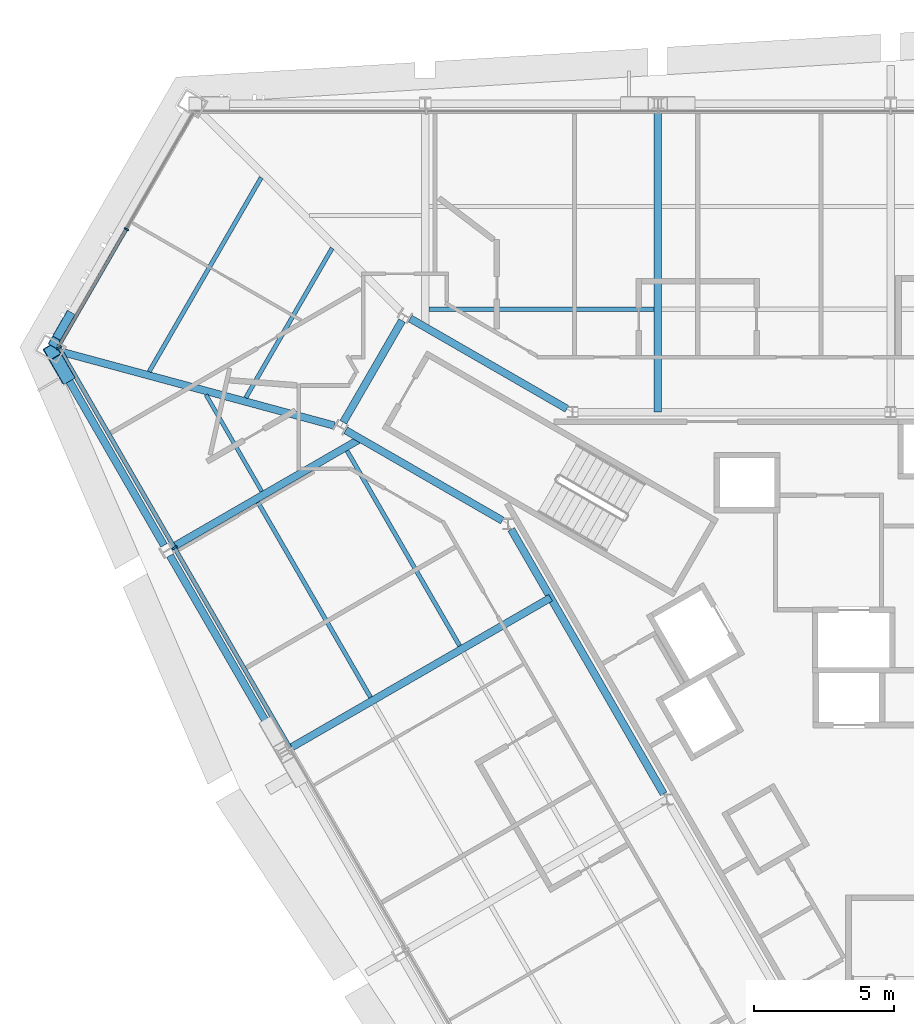
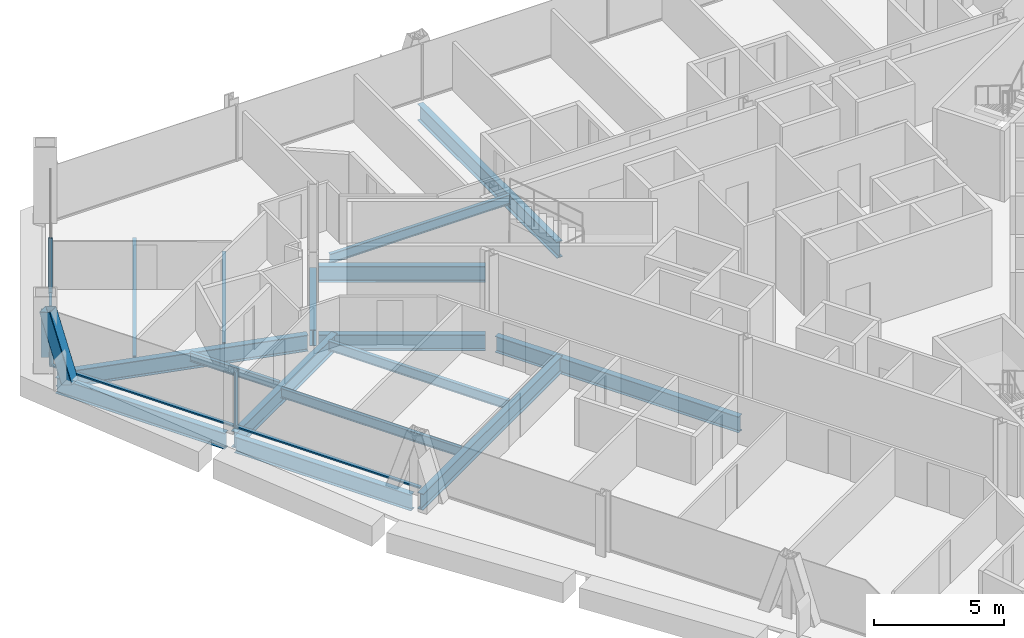
# One storey, part 6 of 17: 16 beams, 8 members, 2 elements without a shape of their own.
"""IFC4 building model written with IfcOpenShell, lengths in metres."""

from ifc_helpers import new_model, si_unit, direction, frame, origin, origin_2d, place, context, subcontext, project, spatial, rectangle, hollow_rectangle, i_section, extrude, material, material_profile, profile_set, type_object, element, aggregate, save


model = new_model("IFC4")

# Units and contexts
model_context = context("Model", 3, precision=1e-05, world=origin(), true_north=direction((0.0, 1.0)))
body_context = subcontext(model_context, "Body", "Model", "MODEL_VIEW")
ifc_project = project(units=[si_unit("LENGTHUNIT", "METRE"), si_unit("AREAUNIT", "SQUARE_METRE"), si_unit("VOLUMEUNIT", "CUBIC_METRE"), si_unit("PLANEANGLEUNIT", "RADIAN"), si_unit("MASSUNIT", "GRAM", prefix="KILO")], contexts=[model_context])

# Site, building, storey
site_placement = place(None, origin())
site = spatial("IfcSite", under=ifc_project, at=site_placement, CompositionType="ELEMENT")
building_placement = place(site_placement, origin())
building = spatial("IfcBuilding", under=site, at=building_placement, Name="Verrane Prism Tower", CompositionType="ELEMENT")
storey_placement = place(building_placement, frame((0.0, 0.0, 139.60009765625)))
storey = spatial("IfcBuildingStorey", under=building, at=storey_placement, Name="L34", CompositionType="ELEMENT", Elevation=139.60009765625)

# Member
ifc_material_1 = material(Name="Steel A500 Grade C", Category="steel")
ifc_material_profile_1 = material_profile(ifc_material_1, hollow_rectangle(XDim=0.355712890625, YDim=0.355712890625, WallThickness=0.0126953125, InnerFilletRadius=0.00634765625, OuterFilletRadius=0.01904296875, at=origin_2d()), Name="HSS14x14x1/2")
ifc_profile_set_1 = profile_set([ifc_material_profile_1], Name="Steel A500 Grade C")
member_type_1 = type_object("IfcMemberType", Name="Chamfer brace HSS14x14x1/2", PredefinedType="BRACE", material=ifc_profile_set_1)
member_1_placement = place(storey_placement, frame((-29.258056640625, 12.597900390625, -0.2451171875), z_axis=(-0.181434730397, -0.31463252923, 0.931712300099), x_axis=(0.866285721922, -0.499548844452, 0.0)))
element("IfcMember", 1, at=member_1_placement, inside=storey, type_object=member_type_1, Name="Chamfer brace NW0 L34", PredefinedType="BRACE", context=body_context, shape_type="SweptSolid", body=[
    extrude(hollow_rectangle(XDim=0.355712890625, YDim=0.355712890625, WallThickness=0.0126953125, InnerFilletRadius=0.00634765625, OuterFilletRadius=0.01904296875, at=origin_2d()), origin(), (0.0, 0.0, 1.0), 2.9052734375),
])

# Beams
ifc_material_2 = material(Name="Steel A992", Category="steel")
ifc_material_profile_2 = material_profile(ifc_material_2, i_section(OverallWidth=0.2666015625, OverallDepth=0.7568359375, WebThickness=0.013916015625, FlangeThickness=0.019287109375, FilletRadius=0.0166015625, at=origin_2d()), Name="W30x108")
ifc_profile_set_2 = profile_set([ifc_material_profile_2], Name="Steel A992")
beam_type_1 = type_object("IfcBeamType", Name="Core ring girder W30x108", PredefinedType="BEAM", material=ifc_profile_set_2)
beam_1_placement = place(storey_placement, frame((-11.53076171875, 9.315673828125, -0.628662109375), z_axis=(-0.866455532004, 0.499254254924, 0.0), x_axis=(-0.499254254924, -0.866455532004, 0.0)))
element("IfcBeam", 2, at=beam_1_placement, inside=storey, type_object=beam_type_1, Name="Core ring girder L34", PredefinedType="BEAM", context=body_context, shape_type="SweptSolid", body=[
    extrude(i_section(OverallWidth=0.2666015625, OverallDepth=0.7568359375, WebThickness=0.013916015625, FlangeThickness=0.019287109375, FilletRadius=0.0166015625, at=origin_2d()), origin(), (0.0, 0.0, 1.0), 6.441162109375),
])
beam_2_placement = place(storey_placement, frame((-17.40283203125, 12.4619140625, -0.628662109375), z_axis=(-0.500367003619, -0.865813410435, 0.0), x_axis=(0.865813410435, -0.500367003619, 0.0)))
element("IfcBeam", 3, at=beam_2_placement, inside=storey, type_object=beam_type_1, Name="Core ring girder L34", PredefinedType="BEAM", context=body_context, shape_type="SweptSolid", body=[
    extrude(i_section(OverallWidth=0.2666015625, OverallDepth=0.7568359375, WebThickness=0.013916015625, FlangeThickness=0.019287109375, FilletRadius=0.0166015625, at=origin_2d()), origin(), (0.0, 0.0, 1.0), 4.185302734375),
])
beam_3_placement = place(storey_placement, frame((-19.411865234375, 8.551513671875, -0.628662109375), z_axis=(0.866455532004, -0.499254254924, 0.0), x_axis=(0.499254254924, 0.866455532004, 0.0)))
element("IfcBeam", 4, at=beam_3_placement, inside=storey, type_object=beam_type_1, Name="Core ring girder L34", PredefinedType="BEAM", context=body_context, shape_type="SweptSolid", body=[
    extrude(i_section(OverallWidth=0.2666015625, OverallDepth=0.7568359375, WebThickness=0.013916015625, FlangeThickness=0.019287109375, FilletRadius=0.0166015625, at=origin_2d()), origin(), (0.0, 0.0, 1.0), 6.441162109375),
])
beam_4_placement = place(storey_placement, frame((-13.51513671875, 5.0205078125, -0.628662109375), z_axis=(0.4993706109, -0.866388476937, 0.0), x_axis=(0.866388476937, 0.4993706109, 0.0)))
element("IfcBeam", 5, at=beam_4_placement, inside=storey, type_object=beam_type_1, Name="Core ring girder L34", PredefinedType="BEAM", context=body_context, shape_type="SweptSolid", body=[
    extrude(i_section(OverallWidth=0.2666015625, OverallDepth=0.7568359375, WebThickness=0.013916015625, FlangeThickness=0.019287109375, FilletRadius=0.0166015625, at=origin_2d()), origin(), (0.0, 0.0, 1.0), 10.8740234375),
])
ifc_material_3 = material(Name="Steel A992", Category="steel")
ifc_material_profile_3 = material_profile(ifc_material_3, i_section(OverallWidth=0.2666015625, OverallDepth=0.76708984375, WebThickness=0.014892578125, FlangeThickness=0.023681640625, FilletRadius=0.0166015625, at=origin_2d()), Name="W30x124")
ifc_profile_set_3 = profile_set([ifc_material_profile_3], Name="Steel A992")
beam_type_2 = type_object("IfcBeamType", Name="Corner girder W30x124", PredefinedType="BEAM", material=ifc_profile_set_3)
beam_5_placement = place(storey_placement, frame((-29.470458984375, 11.32861328125, -0.603515625), z_axis=(0.965337296085, -0.261005564666, 0.0), x_axis=(0.261005564666, 0.965337296085, 0.0)))
element("IfcBeam", 6, at=beam_5_placement, inside=storey, type_object=beam_type_2, Name="Corner girder L34", PredefinedType="BEAM", context=body_context, shape_type="SweptSolid", body=[
    extrude(i_section(OverallWidth=0.2666015625, OverallDepth=0.76708984375, WebThickness=0.014892578125, FlangeThickness=0.023681640625, FilletRadius=0.0166015625, at=origin_2d()), origin(), (0.0, 0.0, 1.0), 10.000244140625),
])

# Member
ifc_material_4 = material(Name="Steel A1085 Grade A", Category="steel")
ifc_material_profile_4 = material_profile(ifc_material_4, hollow_rectangle(XDim=0.508056640625, YDim=0.508056640625, WallThickness=0.025390625, InnerFilletRadius=0.0126953125, OuterFilletRadius=0.0380859375, at=origin_2d()), Name="HSS20x20x1")
ifc_profile_set_4 = profile_set([ifc_material_profile_4], Name="Steel A1085 Grade A")
member_type_2 = type_object("IfcMemberType", Name="Facade brace HSS20x20x1", PredefinedType="BRACE", material=ifc_profile_set_4)
member_2_placement = place(storey_placement, frame((-29.3759765625, 10.506591796875, -0.24267578125), z_axis=(-0.153391848025, 0.26396433136, 0.952257198833), x_axis=(-0.864615031163, -0.502434919056, 0.0)))
element("IfcMember", 7, at=member_2_placement, inside=storey, type_object=member_type_2, Name="Facade brace SW0 L34", PredefinedType="BRACE", context=body_context, shape_type="SweptSolid", body=[
    extrude(hollow_rectangle(XDim=0.508056640625, YDim=0.508056640625, WallThickness=0.025390625, InnerFilletRadius=0.0126953125, OuterFilletRadius=0.0380859375, at=origin_2d()), origin(), (0.0, 0.0, 1.0), 3.221435546875),
])

# Beams
ifc_material_5 = material(Name="Steel A992", Category="steel")
ifc_material_profile_5 = material_profile(ifc_material_5, i_section(OverallWidth=0.140380859375, OverallDepth=0.40380859375, WebThickness=0.007080078125, FlangeThickness=0.01123046875, FilletRadius=0.01025390625, at=origin_2d()), Name="W16x31")
ifc_profile_set_5 = profile_set([ifc_material_profile_5], Name="Steel A992")
beam_type_3 = type_object("IfcBeamType", Name="Floor beam W16x31", PredefinedType="BEAM", material=ifc_profile_set_5)
beam_6_placement = place(storey_placement, frame((-22.40185546875, 6.37548828125, -0.362060546875), z_axis=(-0.499972468829, 0.86604129833, 0.0), x_axis=(-0.86604129833, -0.499972468829, 0.0)))
element("IfcBeam", 8, at=beam_6_placement, inside=storey, type_object=beam_type_3, Name="Floor beam L34", PredefinedType="BEAM", context=body_context, shape_type="SweptSolid", body=[
    extrude(i_section(OverallWidth=0.140380859375, OverallDepth=0.40380859375, WebThickness=0.007080078125, FlangeThickness=0.01123046875, FilletRadius=0.01025390625, at=origin_2d()), origin(), (0.0, 0.0, 1.0), 3.972900390625),
])
ifc_material_6 = material(Name="Steel A992", Category="steel")
ifc_material_profile_6 = material_profile(ifc_material_6, i_section(OverallWidth=0.15234375, OverallDepth=0.449462890625, WebThickness=0.007568359375, FlangeThickness=0.0107421875, FilletRadius=0.01025390625, at=origin_2d()), Name="W18x35")
ifc_profile_set_6 = profile_set([ifc_material_profile_6], Name="Steel A992")
beam_type_4 = type_object("IfcBeamType", Name="Floor beam W18x35", PredefinedType="BEAM", material=ifc_profile_set_6)
beam_7_placement = place(storey_placement, frame((-16.446533203125, 12.86328125, -0.385009765625), z_axis=(1.0, 0.0, 0.0), x_axis=(0.0, 1.0, 0.0)))
element("IfcBeam", 9, at=beam_7_placement, inside=storey, type_object=beam_type_4, Name="Floor beam L34", PredefinedType="BEAM", context=body_context, shape_type="SweptSolid", body=[
    extrude(i_section(OverallWidth=0.15234375, OverallDepth=0.449462890625, WebThickness=0.007568359375, FlangeThickness=0.0107421875, FilletRadius=0.01025390625, at=origin_2d()), origin(), (0.0, 0.0, 1.0), 8.02294921875),
])
beam_8_placement = place(storey_placement, frame((-15.351318359375, 0.87158203125, -0.385009765625), z_axis=(-0.499986657325, 0.866033107044, 0.0), x_axis=(-0.866033107044, -0.499986657325, 0.0)))
element("IfcBeam", 10, at=beam_8_placement, inside=storey, type_object=beam_type_4, Name="Floor beam L34", PredefinedType="BEAM", context=body_context, shape_type="SweptSolid", body=[
    extrude(i_section(OverallWidth=0.15234375, OverallDepth=0.449462890625, WebThickness=0.007568359375, FlangeThickness=0.0107421875, FilletRadius=0.01025390625, at=origin_2d()), origin(), (0.0, 0.0, 1.0), 8.025634765625),
])
beam_9_placement = place(storey_placement, frame((-18.525634765625, -0.96240234375, -0.385009765625), z_axis=(-0.499996300355, 0.866027539765, 0.0), x_axis=(-0.866027539765, -0.499996300355, 0.0)))
element("IfcBeam", 11, at=beam_9_placement, inside=storey, type_object=beam_type_4, Name="Floor beam L34", PredefinedType="BEAM", context=body_context, shape_type="SweptSolid", body=[
    extrude(i_section(OverallWidth=0.15234375, OverallDepth=0.449462890625, WebThickness=0.007568359375, FlangeThickness=0.0107421875, FilletRadius=0.01025390625, at=origin_2d()), origin(), (0.0, 0.0, 1.0), 8.02587890625),
])
beam_10_placement = place(storey_placement, frame((-22.971435546875, 9.709716796875, -0.385009765625), z_axis=(0.499989277538, 0.866031594312, 0.0), x_axis=(-0.866031594312, 0.499989277538, 0.0)))
element("IfcBeam", 12, at=beam_10_placement, inside=storey, type_object=beam_type_4, Name="Floor beam L34", PredefinedType="BEAM", context=body_context, shape_type="SweptSolid", body=[
    extrude(i_section(OverallWidth=0.15234375, OverallDepth=0.449462890625, WebThickness=0.007568359375, FlangeThickness=0.0107421875, FilletRadius=0.01025390625, at=origin_2d()), origin(), (0.0, 0.0, 1.0), 6.151611328125),
])
beam_11_placement = place(storey_placement, frame((-26.413818359375, 10.640380859375, -0.385009765625), z_axis=(0.500003955024, 0.866023120338, 0.0), x_axis=(-0.866023120338, 0.500003955024, 0.0)))
element("IfcBeam", 13, at=beam_11_placement, inside=storey, type_object=beam_type_4, Name="Floor beam L34", PredefinedType="BEAM", context=body_context, shape_type="SweptSolid", body=[
    extrude(i_section(OverallWidth=0.15234375, OverallDepth=0.449462890625, WebThickness=0.007568359375, FlangeThickness=0.0107421875, FilletRadius=0.01025390625, at=origin_2d()), origin(), (0.0, 0.0, 1.0), 7.98291015625),
])

# Curtain wall, member
ifc_material_7 = material(Name="Aluminium framed insulated glazing", Category="aluminium")
curtain_wall_type_1 = type_object("IfcCurtainWallType", Name="Curtain wall CW-B 5600 module", PredefinedType="NOTDEFINED", material=ifc_material_7)
curtain_wall_1_placement = place(storey_placement, origin())
curtain_wall_1 = element("IfcCurtainWall", 14, at=curtain_wall_1_placement, inside=storey, type_object=curtain_wall_type_1, Name="Glazed curtain wall north-west corner L34", PredefinedType="NOTDEFINED")
ifc_material_8 = material(Name="Aluminium alloy 6063-T6", Category="aluminium")
ifc_material_profile_7 = material_profile(ifc_material_8, rectangle(XDim=0.159912109375, YDim=0.06005859375, at=origin_2d()), Name="Mullion 60x160 aluminium")
ifc_profile_set_7 = profile_set([ifc_material_profile_7], Name="Aluminium alloy 6063-T6")
member_type_3 = type_object("IfcMemberType", Name="Mullion 60x160 aluminium", PredefinedType="MULLION", material=ifc_profile_set_7)
member_3_placement = place(storey_placement, frame((-27.223876953125, 15.7177734375, 0.0), z_axis=(0.0, 0.0, 1.0), x_axis=(0.866027551544, -0.499996279953, 0.0)))
member_3 = element("IfcMember", 15, at=member_3_placement, type_object=member_type_3, Name="CW32.3 mullion 2", PredefinedType="MULLION", context=body_context, shape_type="SweptSolid", body=[
    extrude(rectangle(XDim=0.159912109375, YDim=0.06005859375, at=origin_2d()), origin(), (0.0, 0.0, 1.0), 2.61279296875),
])

# Curtain wall, members
ifc_material_9 = material(Name="Aluminium framed insulated glazing", Category="aluminium")
curtain_wall_type_2 = type_object("IfcCurtainWallType", Name="Curtain wall CW-A 8400 module", PredefinedType="NOTDEFINED", material=ifc_material_9)
curtain_wall_2_placement = place(storey_placement, origin())
curtain_wall_2 = element("IfcCurtainWall", 16, at=curtain_wall_2_placement, inside=storey, type_object=curtain_wall_type_2, Name="Glazed curtain wall south-west face L34", PredefinedType="NOTDEFINED")
ifc_material_10 = material(Name="Aluminium alloy 6063-T6", Category="aluminium")
ifc_material_profile_8 = material_profile(ifc_material_10, rectangle(XDim=0.199951171875, YDim=0.070068359375, at=origin_2d()), Name="Mullion 70x200 aluminium")
ifc_profile_set_8 = profile_set([ifc_material_profile_8], Name="Aluminium alloy 6063-T6")
member_type_4 = type_object("IfcMemberType", Name="Mullion 70x200 aluminium", PredefinedType="MULLION", material=ifc_profile_set_8)
member_4_placement = place(storey_placement, frame((-29.62744140625, 11.494140625, 0.0), z_axis=(0.0, 0.0, 1.0), x_axis=(0.866025120648, 0.500000490406, 0.0)))
member_4 = element("IfcMember", 17, at=member_4_placement, type_object=member_type_4, Name="CW32.4 mullion 1", PredefinedType="MULLION", context=body_context, shape_type="SweptSolid", body=[
    extrude(rectangle(XDim=0.199951171875, YDim=0.070068359375, at=origin_2d()), origin(), (0.0, 0.0, 1.0), 2.61279296875),
])
member_5_placement = place(storey_placement, frame((-25.510986328125, 4.364501953125, 0.0), z_axis=(0.0, 0.0, 1.0), x_axis=(0.866025120648, 0.500000490406, 0.0)))
member_5 = element("IfcMember", 18, at=member_5_placement, type_object=member_type_4, Name="CW32.4 mullion 2", PredefinedType="MULLION", context=body_context, shape_type="SweptSolid", body=[
    extrude(rectangle(XDim=0.199951171875, YDim=0.070068359375, at=origin_2d()), origin(), (0.0, 0.0, 1.0), 2.61279296875),
])

# Beams
ifc_material_11 = material(Name="Steel A992", Category="steel")
ifc_material_profile_9 = material_profile(ifc_material_11, i_section(OverallWidth=0.2666015625, OverallDepth=0.76708984375, WebThickness=0.014892578125, FlangeThickness=0.023681640625, FilletRadius=0.0166015625, at=origin_2d()), Name="W30x124")
ifc_profile_set_9 = profile_set([ifc_material_profile_9], Name="Steel A992")
beam_type_5 = type_object("IfcBeamType", Name="Radial girder W30x124", PredefinedType="BEAM", material=ifc_profile_set_9)
beam_12_placement = place(storey_placement, frame((-8.2900390625, 19.962646484375, -0.603515625), z_axis=(0.0, -1.0, 0.0), x_axis=(1.0, 0.0, 0.0)))
element("IfcBeam", 19, at=beam_12_placement, inside=storey, type_object=beam_type_5, Name="Radial girder L34", PredefinedType="BEAM", context=body_context, shape_type="SweptSolid", body=[
    extrude(i_section(OverallWidth=0.2666015625, OverallDepth=0.76708984375, WebThickness=0.014892578125, FlangeThickness=0.023681640625, FilletRadius=0.0166015625, at=origin_2d()), origin(), (0.0, 0.0, 1.0), 10.7626953125),
])
beam_13_placement = place(storey_placement, frame((-25.5830078125, 4.3837890625, -0.603515625), z_axis=(0.866023094746, 0.500003999351, 0.0), x_axis=(-0.500003999351, 0.866023094746, 0.0)))
element("IfcBeam", 20, at=beam_13_placement, inside=storey, type_object=beam_type_5, Name="Radial girder L34", PredefinedType="BEAM", context=body_context, shape_type="SweptSolid", body=[
    extrude(i_section(OverallWidth=0.2666015625, OverallDepth=0.76708984375, WebThickness=0.014892578125, FlangeThickness=0.023681640625, FilletRadius=0.0166015625, at=origin_2d()), origin(), (0.0, 0.0, 1.0), 7.7314453125),
])
beam_14_placement = place(storey_placement, frame((-21.43310546875, -2.79638671875, -0.603515625), z_axis=(0.866023543838, 0.500003221507, 0.0), x_axis=(-0.500003221507, 0.866023543838, 0.0)))
element("IfcBeam", 21, at=beam_14_placement, inside=storey, type_object=beam_type_5, Name="Radial girder L34", PredefinedType="BEAM", context=body_context, shape_type="SweptSolid", body=[
    extrude(i_section(OverallWidth=0.2666015625, OverallDepth=0.76708984375, WebThickness=0.014892578125, FlangeThickness=0.023681640625, FilletRadius=0.0166015625, at=origin_2d()), origin(), (0.0, 0.0, 1.0), 10.763671875),
])
ifc_material_12 = material(Name="Steel A992", Category="steel")
ifc_material_profile_10 = material_profile(ifc_material_12, i_section(OverallWidth=0.2666015625, OverallDepth=0.7568359375, WebThickness=0.013916015625, FlangeThickness=0.019287109375, FilletRadius=0.0166015625, at=origin_2d()), Name="W30x108")
ifc_profile_set_10 = profile_set([ifc_material_profile_10], Name="Steel A992")
beam_type_6 = type_object("IfcBeamType", Name="Spandrel beam W30x108", PredefinedType="SPANDREL", material=ifc_profile_set_10)
beam_15_placement = place(storey_placement, frame((-29.660400390625, 10.999755859375, -0.53857421875), z_axis=(0.499498748006, -0.866314608408, 0.0), x_axis=(0.866314608408, 0.499498748006, 0.0)))
element("IfcBeam", 22, at=beam_15_placement, inside=storey, type_object=beam_type_6, Name="Spandrel beam L34", PredefinedType="SPANDREL", context=body_context, shape_type="SweptSolid", body=[
    extrude(i_section(OverallWidth=0.2666015625, OverallDepth=0.7568359375, WebThickness=0.013916015625, FlangeThickness=0.019287109375, FilletRadius=0.0166015625, at=origin_2d()), origin(), (0.0, 0.0, 1.0), 7.558837890625),
])
beam_16_placement = place(storey_placement, frame((-25.675048828125, 4.088623046875, -0.53857421875), z_axis=(0.500410353056, -0.865788356675, 0.0), x_axis=(0.865788356675, 0.500410353056, 0.0)))
element("IfcBeam", 23, at=beam_16_placement, inside=storey, type_object=beam_type_6, Name="Spandrel beam L34", PredefinedType="SPANDREL", context=body_context, shape_type="SweptSolid", body=[
    extrude(i_section(OverallWidth=0.2666015625, OverallDepth=0.7568359375, WebThickness=0.013916015625, FlangeThickness=0.019287109375, FilletRadius=0.0166015625, at=origin_2d()), origin(), (0.0, 0.0, 1.0), 7.8740234375),
])

# Member
ifc_material_13 = material(Name="Aluminium alloy 6063-T6", Category="aluminium")
ifc_material_profile_11 = material_profile(ifc_material_13, rectangle(XDim=0.1201171875, YDim=0.06005859375, at=origin_2d()), Name="Transom 60x120 aluminium")
ifc_profile_set_11 = profile_set([ifc_material_profile_11], Name="Aluminium alloy 6063-T6")
member_type_5 = type_object("IfcMemberType", Name="Transom 60x120 aluminium", PredefinedType="USERDEFINED", material=ifc_profile_set_11)
member_6_placement = place(storey_placement, frame((-27.239013671875, 15.691650390625, 0.02978515625), z_axis=(-0.50000792458, -0.866020828478, 0.0), x_axis=(0.866020828478, -0.50000792458, 0.0)))
member_6 = element("IfcMember", 24, at=member_6_placement, type_object=member_type_5, Name="CW32.3 transom 2", ObjectType="TRANSOM", PredefinedType="USERDEFINED", context=body_context, shape_type="SweptSolid", body=[
    extrude(rectangle(XDim=0.1201171875, YDim=0.06005859375, at=origin_2d()), origin(), (0.0, 0.0, 1.0), 4.81201171875),
])

aggregate(curtain_wall_1, [member_3, member_6])

ifc_material_14 = material(Name="Aluminium alloy 6063-T6", Category="aluminium")
ifc_material_profile_12 = material_profile(ifc_material_14, rectangle(XDim=0.14990234375, YDim=0.070068359375, at=origin_2d()), Name="Transom 70x150 aluminium")
ifc_profile_set_12 = profile_set([ifc_material_profile_12], Name="Aluminium alloy 6063-T6")
member_type_6 = type_object("IfcMemberType", Name="Transom 70x150 aluminium", PredefinedType="USERDEFINED", material=ifc_profile_set_12)
member_7_placement = place(storey_placement, frame((-29.60986328125, 11.4638671875, 0.034912109375), z_axis=(0.499996028522, -0.866027696706, 0.0), x_axis=(0.866027696706, 0.499996028522, 0.0)))
member_7 = element("IfcMember", 25, at=member_7_placement, type_object=member_type_6, Name="CW32.4 transom 1", ObjectType="TRANSOM", PredefinedType="USERDEFINED", context=body_context, shape_type="SweptSolid", body=[
    extrude(rectangle(XDim=0.14990234375, YDim=0.070068359375, at=origin_2d()), origin(), (0.0, 0.0, 1.0), 8.16259765625),
])

member_8_placement = place(storey_placement, frame((-25.49365234375, 4.334228515625, 0.034912109375), z_axis=(0.500005171338, -0.866022418091, 0.0), x_axis=(0.866022418091, 0.500005171338, 0.0)))
member_8 = element("IfcMember", 26, at=member_8_placement, type_object=member_type_6, Name="CW32.4 transom 2", ObjectType="TRANSOM", PredefinedType="USERDEFINED", context=body_context, shape_type="SweptSolid", body=[
    extrude(rectangle(XDim=0.14990234375, YDim=0.070068359375, at=origin_2d()), origin(), (0.0, 0.0, 1.0), 8.19775390625),
])

aggregate(curtain_wall_2, [member_4, member_5, member_7, member_8])

save(model, "model.ifc")
